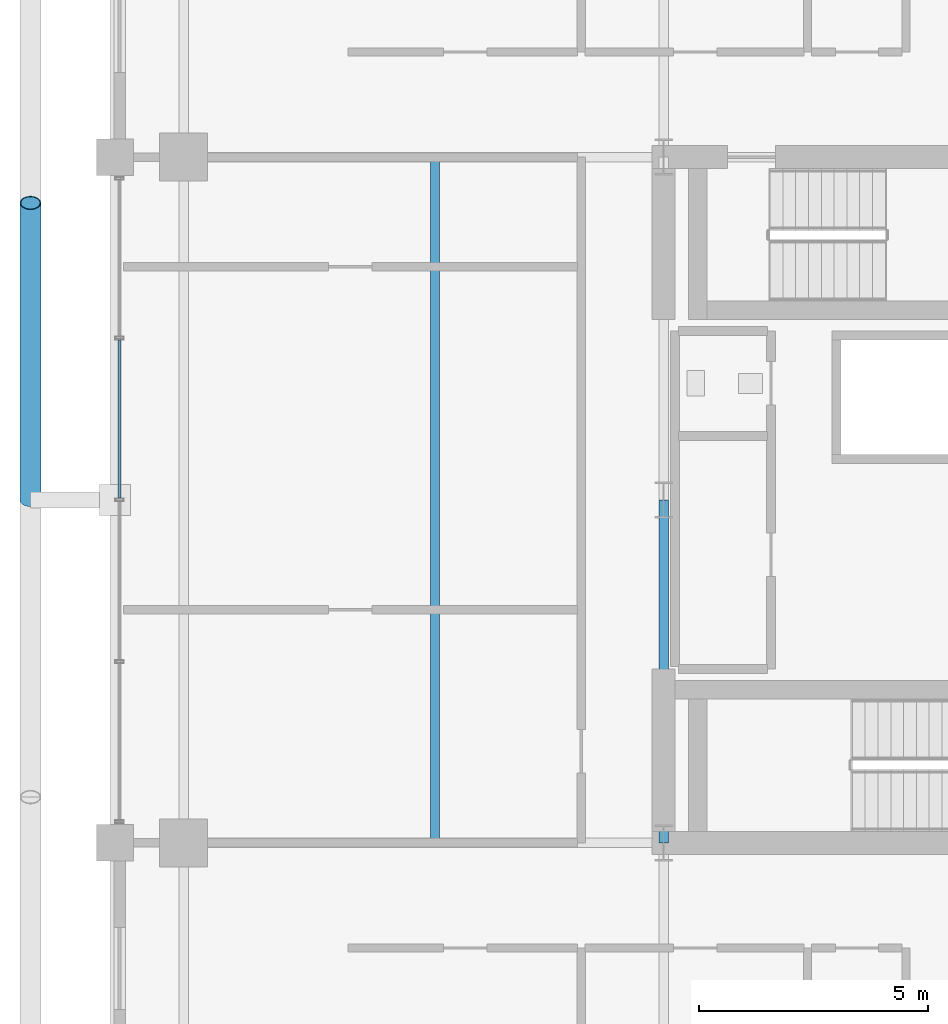
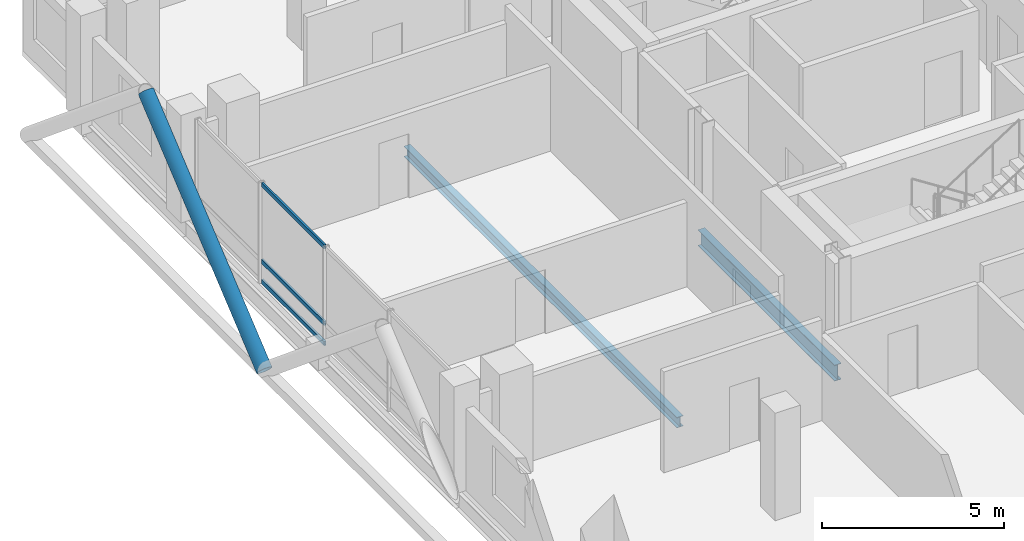
# One storey, part 8 of 26: 4 members, 2 beams, 1 element without a shape of its own.
"""IFC4 building model written with IfcOpenShell, lengths in metres."""

from ifc_helpers import new_model, si_unit, direction, frame, origin, origin_2d, place, context, subcontext, project, spatial, hollow_rectangle, hollow_circle, i_section, extrude, material, layer, layer_set, material_profile, profile_set, type_object, element, aggregate, save


model = new_model("IFC4")

# Units and contexts
model_context = context("Model", 3, precision=1e-05, world=origin(), true_north=direction((0.0, 1.0)))
body_context = subcontext(model_context, "Body", "Model", "MODEL_VIEW")
ifc_project = project(units=[si_unit("LENGTHUNIT", "METRE"), si_unit("AREAUNIT", "SQUARE_METRE"), si_unit("VOLUMEUNIT", "CUBIC_METRE"), si_unit("PLANEANGLEUNIT", "RADIAN"), si_unit("MASSUNIT", "GRAM", prefix="KILO")], contexts=[model_context])

# Site, building, storey
site_placement = place(None, origin())
site = spatial("IfcSite", under=ifc_project, at=site_placement, CompositionType="ELEMENT")
building_placement = place(site_placement, origin())
building = spatial("IfcBuilding", under=site, at=building_placement, Name="Barlavira Tower and Art Museum", CompositionType="ELEMENT")
storey_placement = place(building_placement, frame((0.0, 0.0, 176.39990234375)))
storey = spatial("IfcBuildingStorey", under=building, at=storey_placement, Name="L45", CompositionType="ELEMENT", Elevation=176.39990234375)

# Curtain wall, members
ifc_material_1 = material(Name="Low-iron coastal laminated glass", Category="glass")
ifc_layer = layer(ifc_material_1, 0.199951171875, Name="Low-iron coastal laminated glass")
ifc_layer_set = layer_set([ifc_layer], Name="Low-iron coastal laminated glass")
curtain_wall_type = type_object("IfcCurtainWallType", Name="Pale-Metal Unitised Curtain Wall Zone 3", PredefinedType="NOTDEFINED", material=ifc_layer_set)
curtain_wall_placement = place(storey_placement, origin())
curtain_wall = element("IfcCurtainWall", 1, at=curtain_wall_placement, inside=storey, type_object=curtain_wall_type, Name="L45 Curtain Wall CW3-L45-W-B3", PredefinedType="NOTDEFINED")
ifc_material_2 = material(Name="Pale anodised aluminium", Category="aluminium")
ifc_material_profile_1 = material_profile(ifc_material_2, hollow_rectangle(XDim=0.06494140625, YDim=0.139892578125, WallThickness=0.00390625, at=origin_2d()), Name="ALU-TRAN 65x140x4")
ifc_profile_set_1 = profile_set([ifc_material_profile_1], Name="Pale anodised aluminium")
member_type_1 = type_object("IfcMemberType", Name="Curtain Wall Pale-Metal Transom 65x140", PredefinedType="USERDEFINED", material=ifc_profile_set_1)
member_1_placement = place(storey_placement, frame((-18.39990234375, 3.4951171875, 0.070068359375), z_axis=(0.0, -1.0, 0.0), x_axis=(1.0, 0.0, 0.0)))
member_1 = element("IfcMember", 2, at=member_1_placement, type_object=member_type_1, Name="CW3-L45-W-B3 Transom 1.1", ObjectType="TRANSOM", PredefinedType="USERDEFINED", context=body_context, shape_type="SweptSolid", body=[
    extrude(hollow_rectangle(XDim=0.06494140625, YDim=0.139892578125, WallThickness=0.00390625, at=origin_2d()), origin(), (0.0, 0.0, 1.0), 3.4501953125),
])
member_2_placement = place(storey_placement, frame((-18.39990234375, 3.4951171875, 0.744140625), z_axis=(0.0, -1.0, 0.0), x_axis=(1.0, 0.0, 0.0)))
member_2 = element("IfcMember", 3, at=member_2_placement, type_object=member_type_1, Name="CW3-L45-W-B3 Transom 1.2", ObjectType="TRANSOM", PredefinedType="USERDEFINED", context=body_context, shape_type="SweptSolid", body=[
    extrude(hollow_rectangle(XDim=0.06494140625, YDim=0.139892578125, WallThickness=0.00390625, at=origin_2d()), origin(), (0.0, 0.0, 1.0), 3.4501953125),
])
member_3_placement = place(storey_placement, frame((-18.39990234375, 3.4951171875, 3.31005859375), z_axis=(0.0, -1.0, 0.0), x_axis=(1.0, 0.0, 0.0)))
member_3 = element("IfcMember", 4, at=member_3_placement, type_object=member_type_1, Name="CW3-L45-W-B3 Transom 1.3", ObjectType="TRANSOM", PredefinedType="USERDEFINED", context=body_context, shape_type="SweptSolid", body=[
    extrude(hollow_rectangle(XDim=0.06494140625, YDim=0.139892578125, WallThickness=0.00390625, at=origin_2d()), origin(), (0.0, 0.0, 1.0), 3.4501953125),
])
aggregate(curtain_wall, [member_1, member_2, member_3])

# Member
ifc_material_3 = material(Name="Steel S355", Category="steel")
ifc_material_profile_2 = material_profile(ifc_material_3, hollow_circle(Radius=0.228515625, WallThickness=0.02001953125, at=origin_2d()), Name="CHS 457.0x20.0")
ifc_profile_set_2 = profile_set([ifc_material_profile_2], Name="Steel S355")
member_type_2 = type_object("IfcMemberType", Name="Pale-Metal Exoskeleton Diagrid Tube CHS 457x20 Steel S355", PredefinedType="BRACE", material=ifc_profile_set_2)
member_4_placement = place(storey_placement, frame((-20.35009765625, 0.0, -0.119873046875), z_axis=(0.0, 0.769196053329, 0.639012857104), x_axis=(-1.0, 0.0, 0.0)))
element("IfcMember", 5, at=member_4_placement, inside=storey, type_object=member_type_2, Name="L45 Exoskeleton Diagrid Tube W", PredefinedType="BRACE", context=body_context, shape_type="SweptSolid", body=[
    extrude(hollow_circle(Radius=0.228515625, WallThickness=0.02001953125, at=origin_2d()), origin(), (0.0, 0.0, 1.0), 8.450439453125),
])

# Beams
ifc_material_profile_3 = material_profile(ifc_material_3, i_section(OverallWidth=0.205078125, OverallDepth=0.35400390625, WebThickness=0.009521484375, FlangeThickness=0.016845703125, at=origin_2d()), Name="W360x79.0")
ifc_profile_set_3 = profile_set([ifc_material_profile_3], Name="Steel S355")
beam_type_1 = type_object("IfcBeamType", Name="Zone 3 Composite Floor Joist W360x79 Steel S355", PredefinedType="JOIST", material=ifc_profile_set_3)
beam_1_placement = place(storey_placement, frame((-11.5, -7.5, -0.39697265625), z_axis=(0.0, 1.0, 0.0), x_axis=(-1.0, 0.0, 0.0)))
element("IfcBeam", 6, at=beam_1_placement, inside=storey, type_object=beam_type_1, Name="L45 Joist W1", PredefinedType="JOIST", context=body_context, shape_type="SweptSolid", body=[
    extrude(i_section(OverallWidth=0.205078125, OverallDepth=0.35400390625, WebThickness=0.009521484375, FlangeThickness=0.016845703125, at=origin_2d()), origin(), (0.0, 0.0, 1.0), 15.0),
])
ifc_material_profile_4 = material_profile(ifc_material_3, i_section(OverallWidth=0.2109375, OverallDepth=0.5390625, WebThickness=0.01171875, FlangeThickness=0.018798828125, at=origin_2d()), Name="W530x109.0")
ifc_profile_set_4 = profile_set([ifc_material_profile_4], Name="Steel S355")
beam_type_2 = type_object("IfcBeamType", Name="Zone 3-4 Primary Floor Girder W530x109 Steel S355", PredefinedType="BEAM", material=ifc_profile_set_4)
beam_2_placement = place(storey_placement, frame((-6.5, -7.5, -0.489501953125), z_axis=(0.0, 1.0, 0.0), x_axis=(-1.0, 0.0, 0.0)))
element("IfcBeam", 7, at=beam_2_placement, inside=storey, type_object=beam_type_2, Name="L45 Girder C-W1", PredefinedType="BEAM", context=body_context, shape_type="SweptSolid", body=[
    extrude(i_section(OverallWidth=0.2109375, OverallDepth=0.5390625, WebThickness=0.01171875, FlangeThickness=0.018798828125, at=origin_2d()), origin(), (0.0, 0.0, 1.0), 7.5),
])

save(model, "model.ifc")
